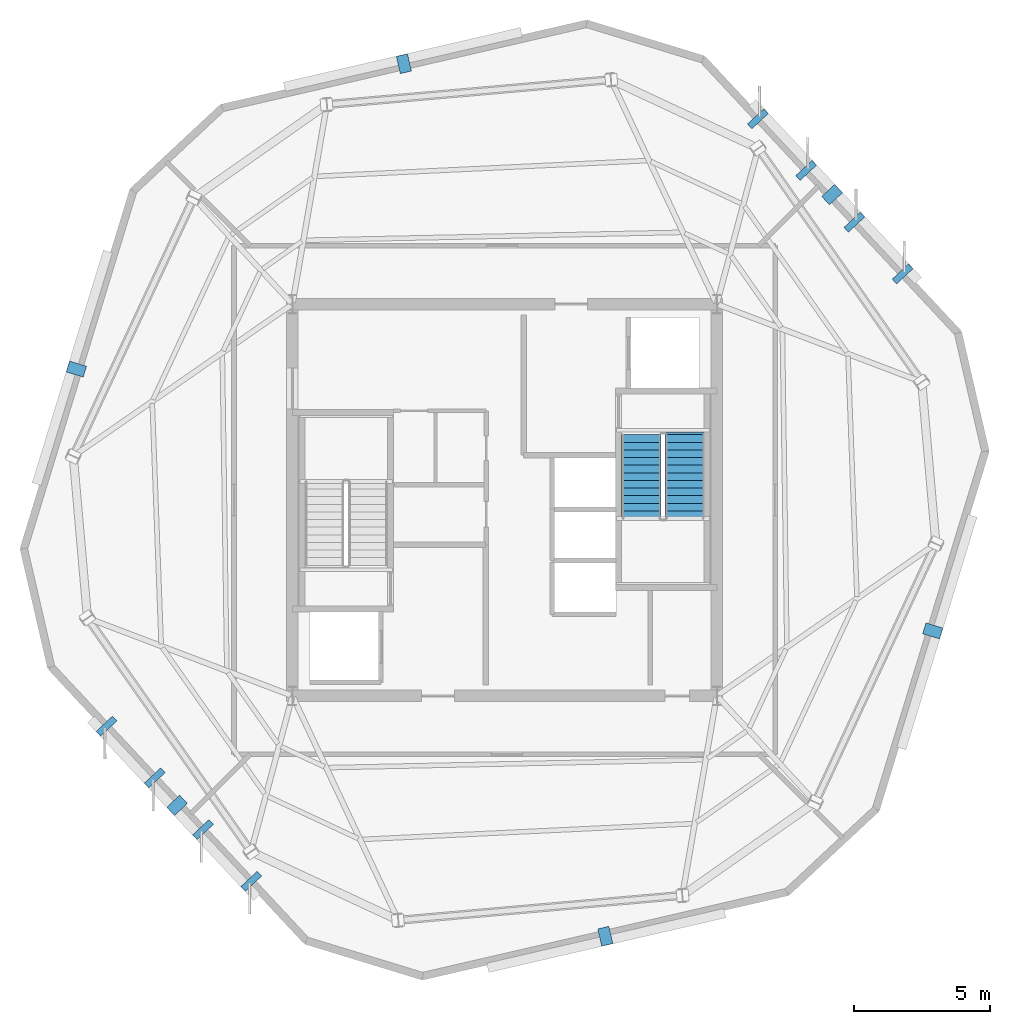
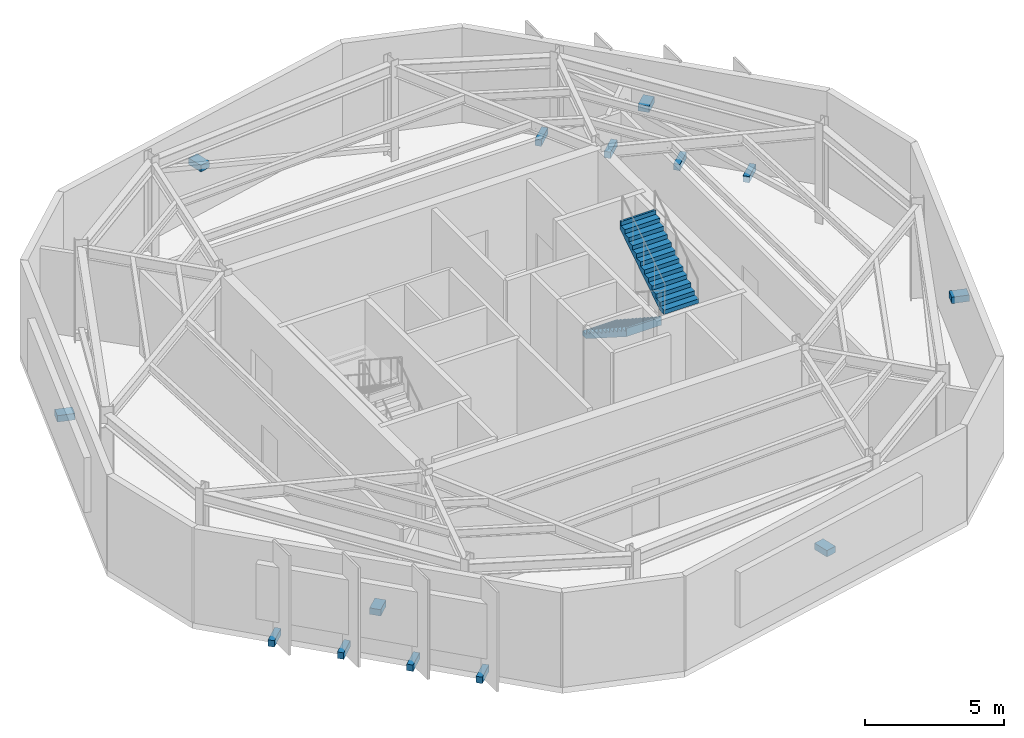
# One storey, part 4 of 7: 14 discrete accessories, 2 stair flights, 1 element without a shape of its own.
"""IFC4 building model written with IfcOpenShell, lengths in metres."""

from ifc_helpers import new_model, si_unit, direction, frame, origin, origin_2d, place, context, subcontext, project, spatial, polyline, rectangle, outline, extrude, material, type_object, element, aggregate, save


model = new_model("IFC4")

# Units and contexts
model_context = context("Model", 3, precision=1e-05, world=origin(), true_north=direction((0.0, 1.0)))
body_context = subcontext(model_context, "Body", "Model", "MODEL_VIEW")
ifc_project = project(units=[si_unit("LENGTHUNIT", "METRE"), si_unit("AREAUNIT", "SQUARE_METRE"), si_unit("VOLUMEUNIT", "CUBIC_METRE"), si_unit("PLANEANGLEUNIT", "RADIAN"), si_unit("MASSUNIT", "GRAM", prefix="KILO")], contexts=[model_context])

# Site, building, storey
site_placement = place(None, origin())
site = spatial("IfcSite", under=ifc_project, at=site_placement, CompositionType="ELEMENT")
building_placement = place(site_placement, origin())
building = spatial("IfcBuilding", under=site, at=building_placement, Name="Kranzbogen Civic Tower", CompositionType="ELEMENT")
storey_placement = place(building_placement, frame((0.0, 0.0, 318.199951171875)))
storey = spatial("IfcBuildingStorey", under=building, at=storey_placement, Name="L77", CompositionType="ELEMENT", Elevation=318.199951171875)

# Stair, stair flights
ifc_material_1 = material(Name="Precast concrete C40/50", Category="concrete")
stair_type = type_object("IfcStairType", Name="Tower Core Secondary Dogleg Stair 1450", PredefinedType="HALF_TURN_STAIR", material=ifc_material_1)
stair_placement = place(storey_placement, origin())
stair = element("IfcStair", 1, at=stair_placement, inside=storey, type_object=stair_type, Name="L77 Tower Core Pressurized Stair 2", PredefinedType="HALF_TURN_STAIR")
stair_flight_type = type_object("IfcStairFlightType", Name="Precast Concrete Stair Flight R180", PredefinedType="STRAIGHT", material=ifc_material_1)
stair_flight_1_placement = place(storey_placement, frame((30.02490234375, 27.39990234375, 0.0), z_axis=(0.0, 0.0, 1.0), x_axis=(0.0, -1.0, 0.0)))
stair_flight_1 = element("IfcStairFlight", 2, at=stair_flight_1_placement, type_object=stair_flight_type, Name="ST-T2 flight 1", NumberOfRisers=12, NumberOfTreads=11, PredefinedType="STRAIGHT", RiserHeight=0.183333333, TreadLength=0.28, context=body_context, shape_type="SweptSolid", body=[
    extrude(outline(polyline([(0.0, 0.0), (0.0, 0.183349609375), (0.280029296875, 0.183349609375), (0.280029296875, 0.36669921875), (0.56005859375, 0.36669921875), (0.56005859375, 0.550048828125), (0.840087890625, 0.550048828125), (0.840087890625, 0.7333984375), (1.1201171875, 0.7333984375), (1.1201171875, 0.916748046875), (1.39990234375, 0.916748046875), (1.39990234375, 1.10009765625), (1.679931640625, 1.10009765625), (1.679931640625, 1.283447265625), (1.9599609375, 1.283447265625), (1.9599609375, 1.466552734375), (2.239990234375, 1.466552734375), (2.239990234375, 1.64990234375), (2.52001953125, 1.64990234375), (2.52001953125, 1.833251953125), (2.800048828125, 1.833251953125), (2.800048828125, 2.0166015625), (3.080078125, 2.0166015625), (3.080078125, 2.199951171875), (3.16015625, 2.199951171875), (3.16015625, 1.83740234375), (0.273681640625, 0.0), (0.0, 0.0)])), frame((0.0, 0.72509765625, 0.0), z_axis=(0.0, -1.0, 0.0), x_axis=(1.0, 0.0, 0.0)), (0.0, 0.0, 1.0), 1.449951171875),
])
stair_flight_2_placement = place(storey_placement, frame((31.625, 24.320068359375, 2.199951171875), z_axis=(0.0, 0.0, 1.0), x_axis=(0.0, 1.0, 0.0)))
stair_flight_2 = element("IfcStairFlight", 3, at=stair_flight_2_placement, type_object=stair_flight_type, Name="ST-T2 flight 2", NumberOfRisers=12, NumberOfTreads=11, PredefinedType="STRAIGHT", RiserHeight=0.183333333, TreadLength=0.28, context=body_context, shape_type="SweptSolid", body=[
    extrude(outline(polyline([(0.0, 0.0), (0.0, 0.183349609375), (0.280029296875, 0.183349609375), (0.280029296875, 0.36669921875), (0.56005859375, 0.36669921875), (0.56005859375, 0.550048828125), (0.840087890625, 0.550048828125), (0.840087890625, 0.7333984375), (1.1201171875, 0.7333984375), (1.1201171875, 0.916748046875), (1.39990234375, 0.916748046875), (1.39990234375, 1.10009765625), (1.679931640625, 1.10009765625), (1.679931640625, 1.283447265625), (1.9599609375, 1.283447265625), (1.9599609375, 1.466552734375), (2.239990234375, 1.466552734375), (2.239990234375, 1.64990234375), (2.52001953125, 1.64990234375), (2.52001953125, 1.833251953125), (2.800048828125, 1.833251953125), (2.800048828125, 2.0166015625), (3.080078125, 2.0166015625), (3.080078125, 2.199951171875), (3.16015625, 2.199951171875), (3.16015625, 1.83740234375), (0.273681640625, 0.0), (0.0, 0.0)])), frame((0.0, 0.72509765625, 0.0), z_axis=(0.0, -1.0, 0.0), x_axis=(1.0, 0.0, 0.0)), (0.0, 0.0, 1.0), 1.449951171875),
])
aggregate(stair, [stair_flight_1, stair_flight_2])

# Discrete accessories
ifc_material_2 = material(Name="Steel S355", Category="steel")
discrete_accessory_type = type_object("IfcDiscreteAccessoryType", Name="Structural Curtain-Wall Fin Support Bracket", PredefinedType="BRACKET", material=ifc_material_2)
for number, where, z_axis, x_axis, name in (
    (4, (21.298095703125, 41.037109375, 1.93017578125), (0.0, 0.0, 1.0), (-0.224951054344, 0.974370064785, 0.0), "L77 louvre mounting bracket 1"),
    (5, (9.260009765625, 29.81201171875, 1.93017578125), (0.0, 0.0, 1.0), (-0.956304755963, 0.292371704723, 0.0), "L77 louvre mounting bracket 2"),
    (6, (12.9619140625, 13.77490234375, 1.93017578125), (0.0, 0.0, 1.0), (-0.731353701619, -0.681998360062, 0.0), "L77 louvre mounting bracket 3"),
):
    element("IfcDiscreteAccessory", number, at=place(storey_placement, frame(where, z_axis=z_axis, x_axis=x_axis)), inside=storey, type_object=discrete_accessory_type, Name=name, PredefinedType="BRACKET", context=body_context, shape_type="SweptSolid", body=[
        extrude(rectangle(XDim=0.64990234375, YDim=0.419921875, at=origin_2d()), origin(), (0.0, 0.0, 1.0), 0.280029296875),
    ])
for number, where, z_axis, x_axis, name in (
    (7, (10.368896484375, 16.68896484375, -0.25), (0.0, 0.0, 1.0), (-0.731353701619, -0.681998360062, 0.0), "L77 facade fin support bracket F3-1"),
    (8, (12.14208984375, 14.7880859375, -0.25), (0.0, 0.0, 1.0), (-0.731353701619, -0.681998360062, 0.0), "L77 facade fin support bracket F3-2"),
    (9, (13.916015625, 12.885986328125, -0.25), (0.0, 0.0, 1.0), (-0.731353701619, -0.681998360062, 0.0), "L77 facade fin support bracket F3-3"),
    (10, (15.68896484375, 10.985107421875, -0.25), (0.0, 0.0, 1.0), (-0.731353701619, -0.681998360062, 0.0), "L77 facade fin support bracket F3-4"),
):
    element("IfcDiscreteAccessory", number, at=place(storey_placement, frame(where, z_axis=z_axis, x_axis=x_axis)), inside=storey, type_object=discrete_accessory_type, Name=name, PredefinedType="BRACKET", context=body_context, shape_type="SweptSolid", body=[
        extrude(rectangle(XDim=0.820068359375, YDim=0.239990234375, at=origin_2d()), origin(), (0.0, 0.0, 1.0), 0.280029296875),
    ])
for number, where, z_axis, x_axis, name in (
    (11, (28.701904296875, 8.962890625, 1.93017578125), (0.0, 0.0, 1.0), (0.224951054344, -0.974370064785, 0.0), "L77 louvre mounting bracket 4"),
    (12, (40.739990234375, 20.18798828125, 1.93017578125), (0.0, 0.0, 1.0), (0.956304755963, -0.292371704723, 0.0), "L77 louvre mounting bracket 5"),
    (13, (37.0380859375, 36.22509765625, 1.93017578125), (0.0, 0.0, 1.0), (0.731353701619, 0.681998360062, 0.0), "L77 louvre mounting bracket 6"),
):
    element("IfcDiscreteAccessory", number, at=place(storey_placement, frame(where, z_axis=z_axis, x_axis=x_axis)), inside=storey, type_object=discrete_accessory_type, Name=name, PredefinedType="BRACKET", context=body_context, shape_type="SweptSolid", body=[
        extrude(rectangle(XDim=0.64990234375, YDim=0.419921875, at=origin_2d()), origin(), (0.0, 0.0, 1.0), 0.280029296875),
    ])
for number, where, z_axis, x_axis, name in (
    (14, (39.631103515625, 33.31103515625, -0.25), (0.0, 0.0, 1.0), (0.731353701619, 0.681998360062, 0.0), "L77 facade fin support bracket F6-1"),
    (15, (37.85791015625, 35.2119140625, -0.25), (0.0, 0.0, 1.0), (0.731353701619, 0.681998360062, 0.0), "L77 facade fin support bracket F6-2"),
    (16, (36.083984375, 37.114013671875, -0.25), (0.0, 0.0, 1.0), (0.731353701619, 0.681998360062, 0.0), "L77 facade fin support bracket F6-3"),
    (17, (34.31103515625, 39.014892578125, -0.25), (0.0, 0.0, 1.0), (0.731353701619, 0.681998360062, 0.0), "L77 facade fin support bracket F6-4"),
):
    element("IfcDiscreteAccessory", number, at=place(storey_placement, frame(where, z_axis=z_axis, x_axis=x_axis)), inside=storey, type_object=discrete_accessory_type, Name=name, PredefinedType="BRACKET", context=body_context, shape_type="SweptSolid", body=[
        extrude(rectangle(XDim=0.820068359375, YDim=0.239990234375, at=origin_2d()), origin(), (0.0, 0.0, 1.0), 0.280029296875),
    ])

save(model, "model.ifc")
